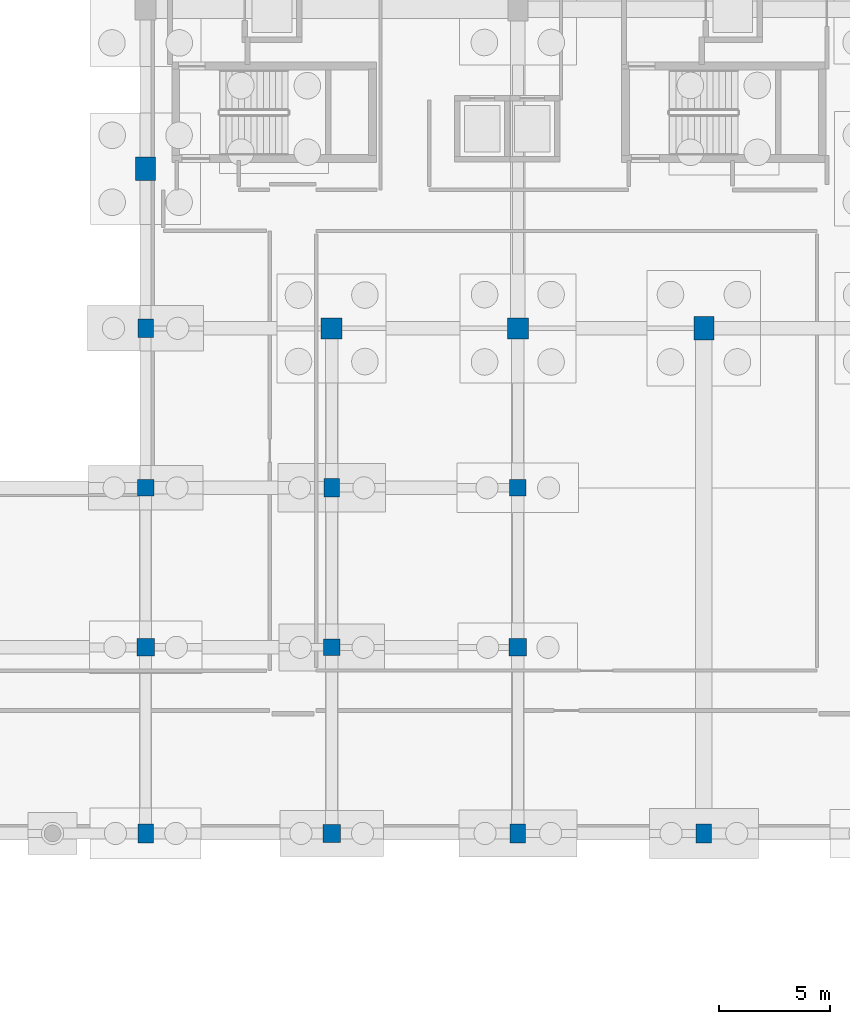
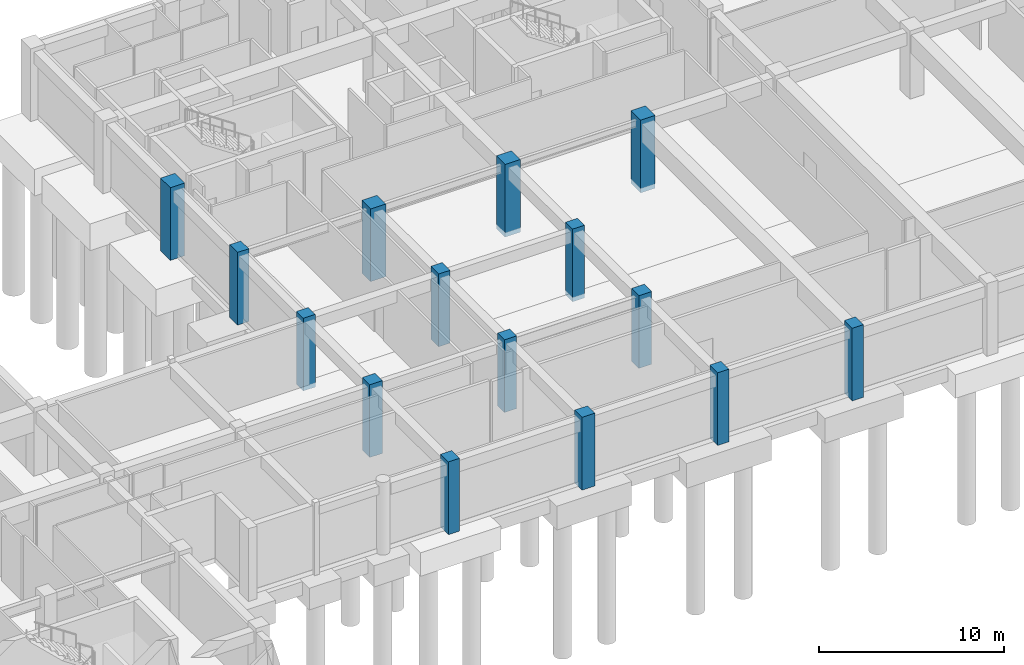
# One storey, part 13 of 42: 15 columns.
"""IFC4 building model written with IfcOpenShell, lengths in metres."""

from ifc_helpers import new_model, si_unit, direction, frame, origin, origin_2d, place, context, subcontext, project, spatial, rectangle, extrude, material, material_profile, profile_set, type_object, element, save


model = new_model("IFC4")

# Units and contexts
model_context = context("Model", 3, precision=1e-05, world=origin(), true_north=direction((0.0, 1.0)))
body_context = subcontext(model_context, "Body", "Model", "MODEL_VIEW")
ifc_project = project(units=[si_unit("LENGTHUNIT", "METRE"), si_unit("AREAUNIT", "SQUARE_METRE"), si_unit("VOLUMEUNIT", "CUBIC_METRE"), si_unit("PLANEANGLEUNIT", "RADIAN"), si_unit("MASSUNIT", "GRAM", prefix="KILO")], contexts=[model_context])

# Site, building, storey
site_placement = place(None, origin())
site = spatial("IfcSite", under=ifc_project, at=site_placement, CompositionType="ELEMENT")
building_placement = place(site_placement, origin())
building = spatial("IfcBuilding", under=site, at=building_placement, Name="Quendrovan Civic Courthouse", CompositionType="ELEMENT")
storey_placement = place(building_placement, frame((0.0, 0.0, -4.5)))
storey = spatial("IfcBuildingStorey", under=building, at=storey_placement, Name="B1", CompositionType="ELEMENT", Elevation=-4.5)

# Columns
ifc_material_1 = material(Name="Concrete C40/50", Category="concrete")
ifc_material_profile_1 = material_profile(ifc_material_1, rectangle(XDim=0.699951171875, YDim=0.85009765625, at=origin_2d()), Name="RC-COL-700x850")
ifc_profile_set_1 = profile_set([ifc_material_profile_1], Name="Concrete C40/50")
column_type_1 = type_object("IfcColumnType", Name="COL-RC-700x850", PredefinedType="COLUMN", material=ifc_profile_set_1)
for number, where, z_axis, x_axis, name in (
    (1, (33.60009765625, 64.800048828125, -0.300048828125), (0.0, 0.0, 1.0), (1.0, 0.0, 0.0), "B1 Column 5-J"),
    (2, (33.60009765625, 87.60009765625, -0.300048828125), (0.0, 0.0, 1.0), (1.0, 0.0, 0.0), "B1 Column 5-M"),
    (3, (42.0, 80.39990234375, -0.300048828125), (0.0, 0.0, 1.0), (1.0, 0.0, 0.0), "B1 Column 6-L"),
    (4, (50.39990234375, 64.800048828125, -0.300048828125), (0.0, 0.0, 1.0), (1.0, 0.0, 0.0), "B1 Column 7-J"),
    (5, (58.800048828125, 64.800048828125, -0.300048828125), (0.0, 0.0, 1.0), (1.0, 0.0, 0.0), "B1 Column 8-J"),
):
    element("IfcColumn", number, at=place(storey_placement, frame(where, z_axis=z_axis, x_axis=x_axis)), inside=storey, type_object=column_type_1, Name=name, PredefinedType="COLUMN", context=body_context, shape_type="SweptSolid", body=[
        extrude(rectangle(XDim=0.699951171875, YDim=0.85009765625, at=origin_2d()), origin(), (0.0, 0.0, 1.0), 4.800048828125),
    ])
ifc_material_2 = material(Name="Concrete C45/55", Category="concrete")
ifc_material_profile_2 = material_profile(ifc_material_2, rectangle(XDim=0.89990234375, YDim=1.050048828125, at=origin_2d()), Name="RC-COL-900x1050")
ifc_profile_set_2 = profile_set([ifc_material_profile_2], Name="Concrete C45/55")
column_type_2 = type_object("IfcColumnType", Name="COL-RC-900x1050", PredefinedType="COLUMN", material=ifc_profile_set_2)
for number, where, z_axis, x_axis, name in (
    (6, (33.60009765625, 94.800048828125, -0.300048828125), (0.0, 0.0, 1.0), (1.0, 0.0, 0.0), "B1 Column 5-N"),
    (7, (58.800048828125, 87.60009765625, -0.300048828125), (0.0, 0.0, 1.0), (1.0, 0.0, 0.0), "B1 Column 8-M"),
):
    element("IfcColumn", number, at=place(storey_placement, frame(where, z_axis=z_axis, x_axis=x_axis)), inside=storey, type_object=column_type_2, Name=name, PredefinedType="COLUMN", context=body_context, shape_type="SweptSolid", body=[
        extrude(rectangle(XDim=0.89990234375, YDim=1.050048828125, at=origin_2d()), origin(), (0.0, 0.0, 1.0), 4.800048828125),
    ])
ifc_material_profile_3 = material_profile(ifc_material_2, rectangle(XDim=0.75, YDim=0.75, at=origin_2d()), Name="RC-COL-750x750")
ifc_profile_set_3 = profile_set([ifc_material_profile_3], Name="Concrete C45/55")
column_type_3 = type_object("IfcColumnType", Name="COL-RC750", PredefinedType="COLUMN", material=ifc_profile_set_3)
for number, where, z_axis, x_axis, name in (
    (8, (33.60009765625, 80.39990234375, -0.300048828125), (0.0, 0.0, 1.0), (1.0, 0.0, 0.0), "B1 Column 5-L"),
    (9, (42.0, 73.199951171875, -0.300048828125), (0.0, 0.0, 1.0), (1.0, 0.0, 0.0), "B1 Column 6-K"),
    (10, (50.39990234375, 80.39990234375, -0.300048828125), (0.0, 0.0, 1.0), (1.0, 0.0, 0.0), "B1 Column 7-L"),
):
    element("IfcColumn", number, at=place(storey_placement, frame(where, z_axis=z_axis, x_axis=x_axis)), inside=storey, type_object=column_type_3, Name=name, PredefinedType="COLUMN", context=body_context, shape_type="SweptSolid", body=[
        extrude(rectangle(XDim=0.75, YDim=0.75, at=origin_2d()), origin(), (0.0, 0.0, 1.0), 4.800048828125),
    ])
ifc_material_profile_4 = material_profile(ifc_material_2, rectangle(XDim=0.800048828125, YDim=0.800048828125, at=origin_2d()), Name="RC-COL-800x800")
ifc_profile_set_4 = profile_set([ifc_material_profile_4], Name="Concrete C45/55")
column_type_4 = type_object("IfcColumnType", Name="COL-RC800", PredefinedType="COLUMN", material=ifc_profile_set_4)
for number, where, z_axis, x_axis, name in (
    (11, (33.60009765625, 73.199951171875, -0.300048828125), (0.0, 0.0, 1.0), (1.0, 0.0, 0.0), "B1 Column 5-K"),
    (12, (42.0, 64.800048828125, -0.300048828125), (0.0, 0.0, 1.0), (1.0, 0.0, 0.0), "B1 Column 6-J"),
    (13, (50.39990234375, 73.199951171875, -0.300048828125), (0.0, 0.0, 1.0), (1.0, 0.0, 0.0), "B1 Column 7-K"),
):
    element("IfcColumn", number, at=place(storey_placement, frame(where, z_axis=z_axis, x_axis=x_axis)), inside=storey, type_object=column_type_4, Name=name, PredefinedType="COLUMN", context=body_context, shape_type="SweptSolid", body=[
        extrude(rectangle(XDim=0.800048828125, YDim=0.800048828125, at=origin_2d()), origin(), (0.0, 0.0, 1.0), 4.800048828125),
    ])
ifc_material_profile_5 = material_profile(ifc_material_2, rectangle(XDim=0.949951171875, YDim=0.949951171875, at=origin_2d()), Name="RC-COL-950x950")
ifc_profile_set_5 = profile_set([ifc_material_profile_5], Name="Concrete C45/55")
column_type_5 = type_object("IfcColumnType", Name="COL-RC950", PredefinedType="COLUMN", material=ifc_profile_set_5)
for number, where, z_axis, x_axis, name in (
    (14, (42.0, 87.60009765625, -0.300048828125), (0.0, 0.0, 1.0), (1.0, 0.0, 0.0), "B1 Column 6-M"),
    (15, (50.39990234375, 87.60009765625, -0.300048828125), (0.0, 0.0, 1.0), (1.0, 0.0, 0.0), "B1 Column 7-M"),
):
    element("IfcColumn", number, at=place(storey_placement, frame(where, z_axis=z_axis, x_axis=x_axis)), inside=storey, type_object=column_type_5, Name=name, PredefinedType="COLUMN", context=body_context, shape_type="SweptSolid", body=[
        extrude(rectangle(XDim=0.949951171875, YDim=0.949951171875, at=origin_2d()), origin(), (0.0, 0.0, 1.0), 4.800048828125),
    ])

save(model, "model.ifc")
